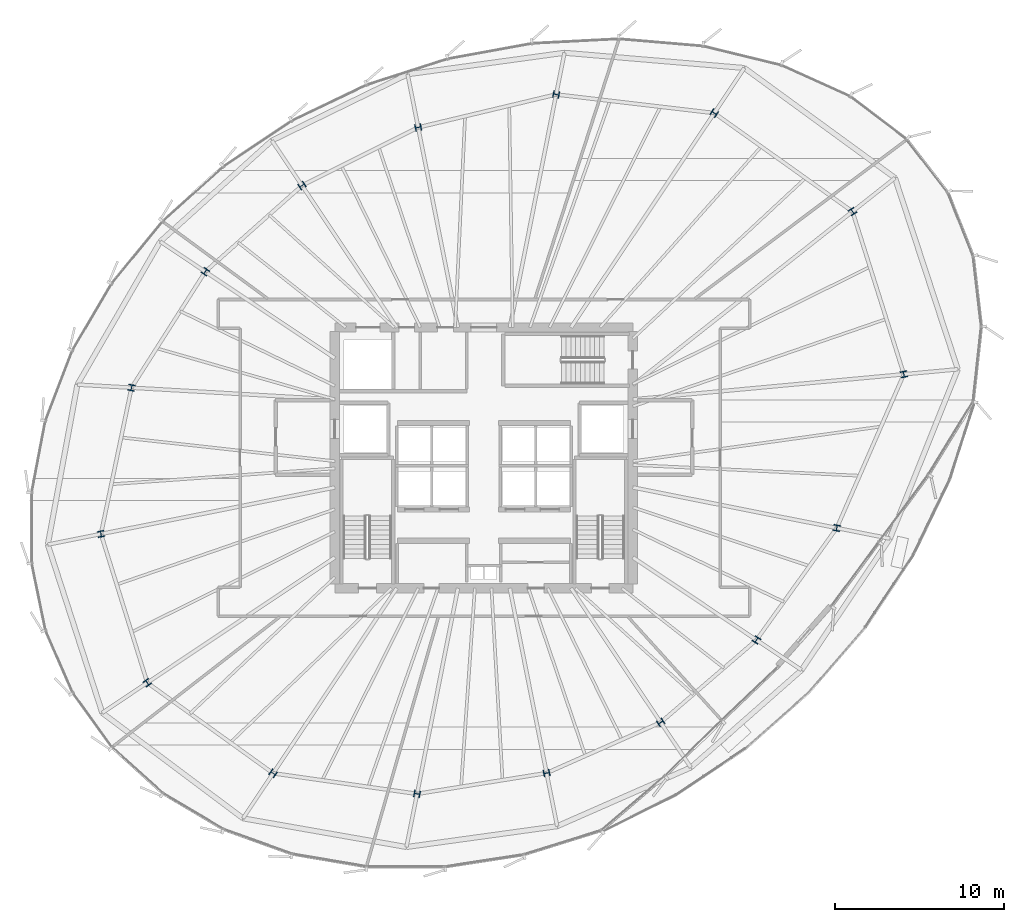
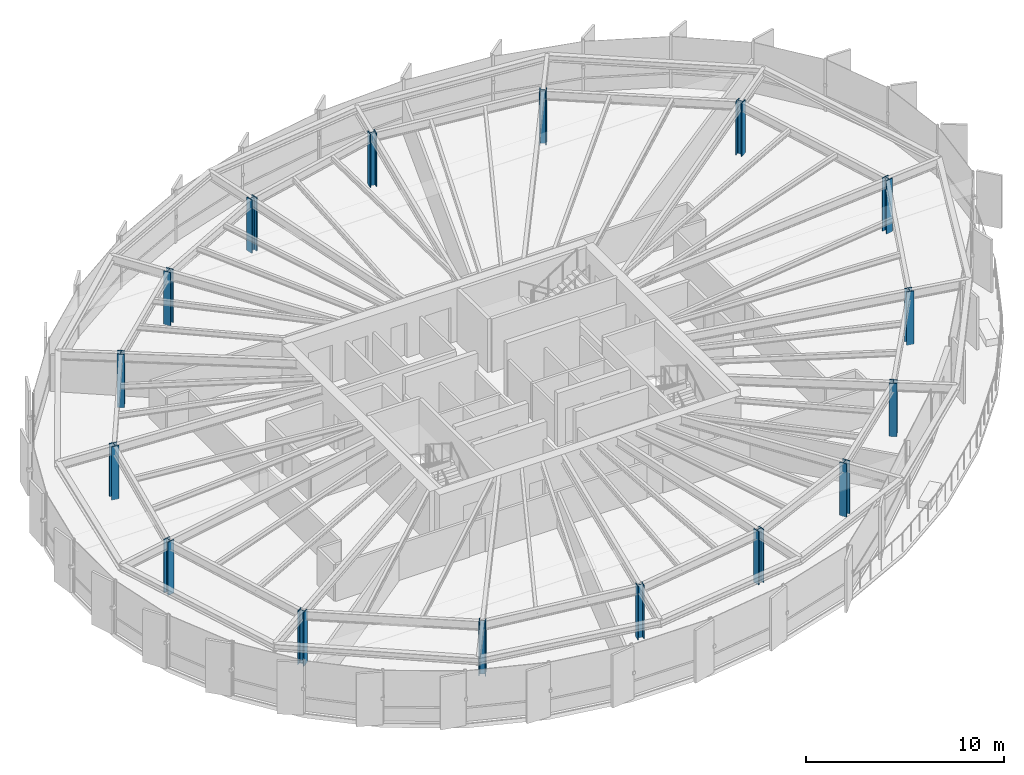
# One storey, part 1 of 34: 16 columns.
"""IFC4 building model written with IfcOpenShell, lengths in metres."""

from ifc_helpers import new_model, si_unit, direction, frame, origin, origin_2d, place, context, subcontext, project, spatial, i_section, extrude, source, transform, mapped, material, material_profile, profile_set, type_object, element, save


model = new_model("IFC4")

# Units and contexts
model_context = context("Model", 3, precision=1e-05, world=origin(), true_north=direction((0.0, 1.0)))
body_context = subcontext(model_context, "Body", "Model", "MODEL_VIEW")
ifc_project = project(units=[si_unit("LENGTHUNIT", "METRE"), si_unit("AREAUNIT", "SQUARE_METRE"), si_unit("VOLUMEUNIT", "CUBIC_METRE"), si_unit("PLANEANGLEUNIT", "RADIAN"), si_unit("MASSUNIT", "GRAM", prefix="KILO"), si_unit("THERMODYNAMICTEMPERATUREUNIT", "KELVIN")], contexts=[model_context])

# Site, building, storey
site_placement = place(None, origin())
site = spatial("IfcSite", under=ifc_project, at=site_placement, CompositionType="ELEMENT")
building_placement = place(site_placement, origin())
building = spatial("IfcBuilding", under=site, at=building_placement, Name="Kethvar Cultural Tower", CompositionType="ELEMENT")
storey_placement = place(building_placement, frame((0.0, 0.0, 153.64990234375)))
storey = spatial("IfcBuildingStorey", under=building, at=storey_placement, Name="L39", CompositionType="ELEMENT", Elevation=153.64990234375)

# Columns
ifc_material = material(Name="Steel S460M", Category="steel")
ifc_material_profile = material_profile(ifc_material, i_section(OverallWidth=0.39697265625, OverallDepth=0.364990234375, WebThickness=0.028076171875, FlangeThickness=0.0439453125, FilletRadius=0.014892578125, at=origin_2d()), Name="Steel S460M — HD400x592")
ifc_profile_set = profile_set([ifc_material_profile], Name="Steel S460M — HD400x592")
column_type = type_object("IfcColumnType", Name="COL-HD592", PredefinedType="COLUMN", material=ifc_profile_set)
shared_shape = source(origin(), body_context, "Body", "SweptSolid", [
    extrude(i_section(OverallWidth=0.39697265625, OverallDepth=0.364990234375, WebThickness=0.028076171875, FlangeThickness=0.0439453125, FilletRadius=0.014892578125, at=origin_2d()), origin(), (0.0, 0.0, 1.0), 3.300048828125),
])
for number, where, z_axis, x_axis, name in (
    (1, (71.6025390625, 32.7333984375, 0.0), (0.0, 0.0, 1.0), (0.980785280403, 0.195090322016, 0.0), "L39 Mega-Column MC-01"),
    (2, (68.568603515625, 42.34521484375, 0.0), (0.0, 0.0, 1.0), (0.831469612303, 0.55557023302, 0.0), "L39 Mega-Column MC-02"),
    (3, (60.40478515625, 48.160888671875, 0.0), (0.0, 0.0, 1.0), (0.55557023302, 0.831469612303, 0.0), "L39 Mega-Column MC-03"),
    (4, (51.068603515625, 49.25927734375, 0.0), (0.0, 0.0, 1.0), (0.195090322016, 0.980785280403, 0.0), "L39 Mega-Column MC-04"),
    (5, (42.9189453125, 47.311279296875, 0.0), (0.0, 0.0, 1.0), (-0.195090322016, 0.980785280403, 0.0), "L39 Mega-Column MC-05"),
    (6, (36.0576171875, 43.877197265625, 0.0), (0.0, 0.0, 1.0), (-0.55557023302, 0.831469612303, 0.0), "L39 Mega-Column MC-06"),
    (7, (30.345947265625, 38.794189453125, 0.0), (0.0, 0.0, 1.0), (-0.831469612303, 0.55557023302, 0.0), "L39 Mega-Column MC-07"),
    (8, (25.988525390625, 31.939697265625, 0.0), (0.0, 0.0, 1.0), (-0.980785280403, 0.195090322016, 0.0), "L39 Mega-Column MC-08"),
    (9, (24.185302734375, 23.3017578125, 0.0), (0.0, 0.0, 1.0), (-0.980785280403, -0.195090322016, 0.0), "L39 Mega-Column MC-09"),
    (10, (26.920654296875, 14.51708984375, 0.0), (0.0, 0.0, 1.0), (-0.831469612303, -0.55557023302, 0.0), "L39 Mega-Column MC-10"),
    (11, (34.350830078125, 9.16845703125, 0.0), (0.0, 0.0, 1.0), (-0.55557023302, -0.831469612303, 0.0), "L39 Mega-Column MC-11"),
    (12, (42.852294921875, 7.95361328125, 0.0), (0.0, 0.0, 1.0), (-0.195090322016, -0.980785280403, 0.0), "L39 Mega-Column MC-12"),
    (13, (50.50341796875, 9.182373046875, 0.0), (0.0, 0.0, 1.0), (0.195090322016, -0.980785280403, 0.0), "L39 Mega-Column MC-13"),
    (14, (57.241943359375, 12.17236328125, 0.0), (0.0, 0.0, 1.0), (0.55557023302, -0.831469612303, 0.0), "L39 Mega-Column MC-14"),
    (15, (62.898681640625, 17.043212890625, 0.0), (0.0, 0.0, 1.0), (0.831469612303, -0.55557023302, 0.0), "L39 Mega-Column MC-15"),
    (16, (67.638671875, 23.65478515625, 0.0), (0.0, 0.0, 1.0), (0.980785280403, -0.195090322016, 0.0), "L39 Mega-Column MC-16"),
):
    element("IfcColumn", number, at=place(storey_placement, frame(where, z_axis=z_axis, x_axis=x_axis)), inside=storey, type_object=column_type, Name=name, PredefinedType="COLUMN", context=body_context, shape_type="MappedRepresentation", body=[
        mapped(shared_shape, transform((0.0, 0.0, 0.0), scale=1.0)),
    ])

save(model, "model.ifc")
